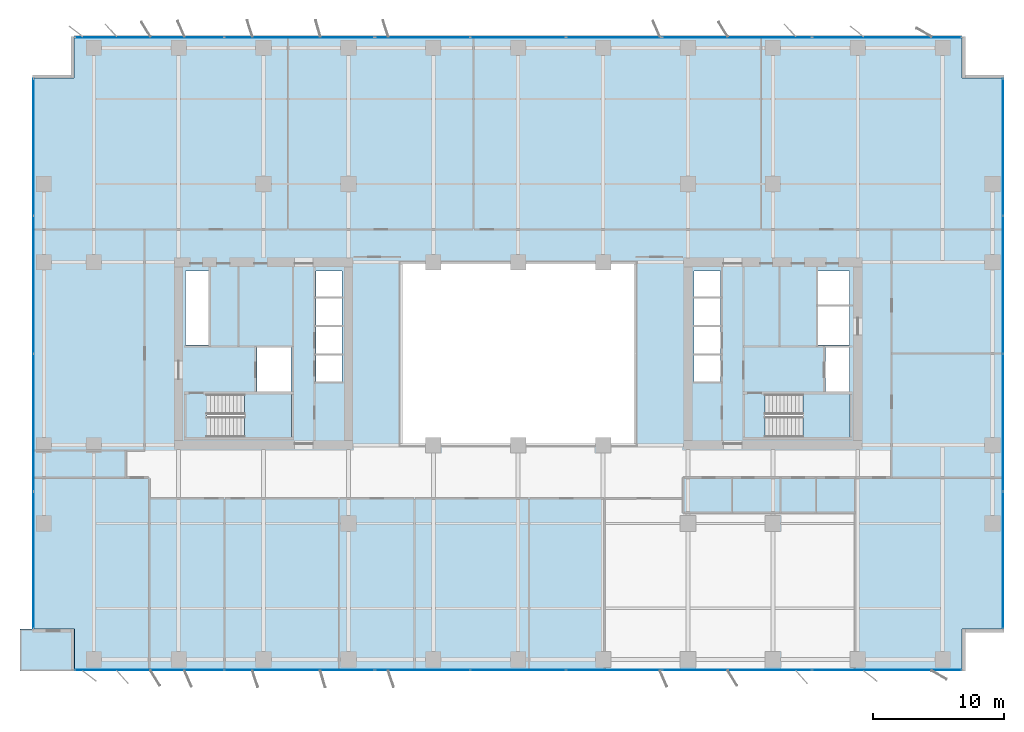
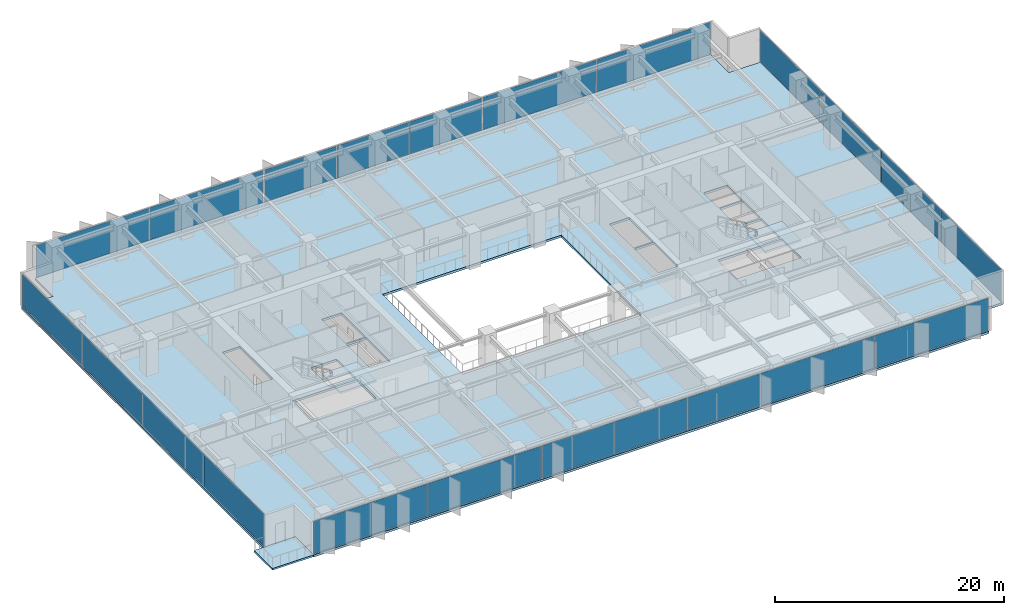
# One storey, part 12 of 20: 22 plates, 4 slabs, 10 elements without a shape of their own.
"""IFC4 building model written with IfcOpenShell, lengths in metres."""

from ifc_helpers import new_model, si_unit, direction, frame, origin, origin_2d, place, context, subcontext, project, spatial, polyline, rectangle, outline, extrude, material, layer, layer_set, type_object, element, aggregate, save


model = new_model("IFC4")

# Units and contexts
model_context = context("Model", 3, precision=1e-05, world=origin(), true_north=direction((0.0, 1.0)))
body_context = subcontext(model_context, "Body", "Model", "MODEL_VIEW")
ifc_project = project(units=[si_unit("LENGTHUNIT", "METRE"), si_unit("AREAUNIT", "SQUARE_METRE"), si_unit("VOLUMEUNIT", "CUBIC_METRE"), si_unit("PLANEANGLEUNIT", "RADIAN"), si_unit("MASSUNIT", "GRAM", prefix="KILO")], contexts=[model_context])

# Site, building, storey
site_placement = place(None, origin())
site = spatial("IfcSite", under=ifc_project, at=site_placement, CompositionType="ELEMENT")
building_placement = place(site_placement, origin())
building = spatial("IfcBuilding", under=site, at=building_placement, Name="Putna Gate Headquarters", CompositionType="ELEMENT")
storey_placement = place(building_placement, frame((0.0, 0.0, 97.39990234375)))
storey = spatial("IfcBuildingStorey", under=building, at=storey_placement, Name="L23", CompositionType="ELEMENT", Elevation=97.39990234375)

# Stair, slab
ifc_material_1 = material(Name="Concrete C40/50", Category="concrete")
stair_type_1 = type_object("IfcStairType", Name="STAIR-ST1", PredefinedType="HALF_TURN_STAIR", material=ifc_material_1)
stair_1_placement = place(storey_placement, origin())
stair_1 = element("IfcStair", 1, at=stair_1_placement, inside=storey, type_object=stair_type_1, Name="L23 West Core Exit Stair ST1", PredefinedType="HALF_TURN_STAIR")
ifc_layer_1 = layer(ifc_material_1, 0.199951171875)
ifc_layer_set_1 = layer_set([ifc_layer_1], Name="Concrete C40/50")
slab_type_1 = type_object("IfcSlabType", Name="LANDING-ST1", PredefinedType="LANDING", material=ifc_layer_set_1)
slab_1_placement = place(storey_placement, frame((0.0, 0.0, 1.7001953125)))
slab_1 = element("IfcSlab", 2, at=slab_1_placement, type_object=slab_type_1, Name="ST1 landing 1", PredefinedType="LANDING", context=body_context, shape_type="SweptSolid", body=[
    extrude(outline(polyline([(18.050048828125, 19.60009765625), (21.64990234375, 19.60009765625), (21.64990234375, 22.89990234375), (18.050048828125, 22.89990234375), (18.050048828125, 19.60009765625)])), origin(), (0.0, 0.0, 1.0), 0.199951171875),
])
aggregate(stair_1, [slab_1])

stair_type_2 = type_object("IfcStairType", Name="STAIR-ST2", PredefinedType="HALF_TURN_STAIR", material=ifc_material_1)
stair_2_placement = place(storey_placement, origin())
stair_2 = element("IfcStair", 3, at=stair_2_placement, inside=storey, type_object=stair_type_2, Name="L23 East Core Exit Stair ST2", PredefinedType="HALF_TURN_STAIR")
ifc_layer_2 = layer(ifc_material_1, 0.199951171875)
ifc_layer_set_2 = layer_set([ifc_layer_2], Name="Concrete C40/50")
slab_type_2 = type_object("IfcSlabType", Name="LANDING-ST2", PredefinedType="LANDING", material=ifc_layer_set_2)
slab_2_placement = place(storey_placement, frame((0.0, 0.0, 1.7001953125)))
slab_2 = element("IfcSlab", 4, at=slab_2_placement, type_object=slab_type_2, Name="ST2 landing 1", PredefinedType="LANDING", context=body_context, shape_type="SweptSolid", body=[
    extrude(outline(polyline([(60.800048828125, 19.60009765625), (64.39990234375, 19.60009765625), (64.39990234375, 22.89990234375), (60.800048828125, 22.89990234375), (60.800048828125, 19.60009765625)])), origin(), (0.0, 0.0, 1.0), 0.199951171875),
])
aggregate(stair_2, [slab_2])

# Curtain wall, plates
ifc_material_2 = material(Name="Anodised bronze aluminium curtain wall", Category="aluminium")
ifc_layer_3 = layer(ifc_material_2, 0.159912109375)
ifc_layer_set_3 = layer_set([ifc_layer_3], Name="Anodised bronze aluminium curtain wall")
curtain_wall_type_1 = type_object("IfcCurtainWallType", Name="CW-SYS-Z2", PredefinedType="USERDEFINED", material=ifc_layer_set_3)
curtain_wall_1_placement = place(storey_placement, origin())
curtain_wall_1 = element("IfcCurtainWall", 5, at=curtain_wall_1_placement, inside=storey, type_object=curtain_wall_type_1, Name="L23 South West Curtain Wall", ObjectType="STICK CURTAIN WALL", PredefinedType="USERDEFINED")
ifc_material_3 = material(Name="Solar-control triple low-E glass", Category="glass")
ifc_layer_4 = layer(ifc_material_3, 0.030029296875)
ifc_layer_set_4 = layer_set([ifc_layer_4], Name="Solar-control triple low-E glass")
plate_type_1 = type_object("IfcPlateType", Name="PAN-CWP-2", PredefinedType="CURTAIN_PANEL", material=ifc_layer_set_4)
plate_1_placement = place(storey_placement, frame((10.766357421875, 1.780029296875, 0.065185546875), z_axis=(0.0, 0.0, 1.0), x_axis=(1.0, 0.0, 0.0)))
plate_1 = element("IfcPlate", 6, at=plate_1_placement, type_object=plate_type_1, Name="CWS-2 panel 1.1", PredefinedType="CURTAIN_PANEL", context=body_context, shape_type="SweptSolid", body=[
    extrude(rectangle(XDim=11.402587890625, YDim=0.030029296875, at=origin_2d()), origin(), (0.0, 0.0, 1.0), 3.43505859375),
])
plate_2_placement = place(storey_placement, frame((22.233642578125, 1.780029296875, 0.065185546875), z_axis=(0.0, 0.0, 1.0), x_axis=(1.0, 0.0, 0.0)))
plate_2 = element("IfcPlate", 7, at=plate_2_placement, type_object=plate_type_1, Name="CWS-2 panel 2.1", PredefinedType="CURTAIN_PANEL", context=body_context, shape_type="SweptSolid", body=[
    extrude(rectangle(XDim=11.402587890625, YDim=0.030029296875, at=origin_2d()), origin(), (0.0, 0.0, 1.0), 3.43505859375),
])
aggregate(curtain_wall_1, [plate_1, plate_2])

curtain_wall_2_placement = place(storey_placement, origin())
curtain_wall_2 = element("IfcCurtainWall", 8, at=curtain_wall_2_placement, inside=storey, type_object=curtain_wall_type_1, Name="L23 South East Curtain Wall", ObjectType="STICK CURTAIN WALL", PredefinedType="USERDEFINED")
plate_3_placement = place(storey_placement, frame((55.766357421875, 1.780029296875, 0.065185546875), z_axis=(0.0, 0.0, 1.0), x_axis=(1.0, 0.0, 0.0)))
plate_3 = element("IfcPlate", 9, at=plate_3_placement, type_object=plate_type_1, Name="CWS-2 panel 1.1", PredefinedType="CURTAIN_PANEL", context=body_context, shape_type="SweptSolid", body=[
    extrude(rectangle(XDim=11.402587890625, YDim=0.030029296875, at=origin_2d()), origin(), (0.0, 0.0, 1.0), 3.43505859375),
])
plate_4_placement = place(storey_placement, frame((67.233642578125, 1.780029296875, 0.065185546875), z_axis=(0.0, 0.0, 1.0), x_axis=(1.0, 0.0, 0.0)))
plate_4 = element("IfcPlate", 10, at=plate_4_placement, type_object=plate_type_1, Name="CWS-2 panel 2.1", PredefinedType="CURTAIN_PANEL", context=body_context, shape_type="SweptSolid", body=[
    extrude(rectangle(XDim=11.402587890625, YDim=0.030029296875, at=origin_2d()), origin(), (0.0, 0.0, 1.0), 3.43505859375),
])
aggregate(curtain_wall_2, [plate_3, plate_4])

curtain_wall_3_placement = place(storey_placement, origin())
curtain_wall_3 = element("IfcCurtainWall", 11, at=curtain_wall_3_placement, inside=storey, type_object=curtain_wall_type_1, Name="L23 North West Curtain Wall", ObjectType="STICK CURTAIN WALL", PredefinedType="USERDEFINED")
plate_5_placement = place(storey_placement, frame((10.766357421875, 50.219970703125, 0.065185546875), z_axis=(0.0, 0.0, 1.0), x_axis=(1.0, 0.0, 0.0)))
plate_5 = element("IfcPlate", 12, at=plate_5_placement, type_object=plate_type_1, Name="CWS-2 panel 1.1", PredefinedType="CURTAIN_PANEL", context=body_context, shape_type="SweptSolid", body=[
    extrude(rectangle(XDim=11.402587890625, YDim=0.030029296875, at=origin_2d()), origin(), (0.0, 0.0, 1.0), 3.43505859375),
])
plate_6_placement = place(storey_placement, frame((22.233642578125, 50.219970703125, 0.065185546875), z_axis=(0.0, 0.0, 1.0), x_axis=(1.0, 0.0, 0.0)))
plate_6 = element("IfcPlate", 13, at=plate_6_placement, type_object=plate_type_1, Name="CWS-2 panel 2.1", PredefinedType="CURTAIN_PANEL", context=body_context, shape_type="SweptSolid", body=[
    extrude(rectangle(XDim=11.402587890625, YDim=0.030029296875, at=origin_2d()), origin(), (0.0, 0.0, 1.0), 3.43505859375),
])
aggregate(curtain_wall_3, [plate_5, plate_6])

curtain_wall_4_placement = place(storey_placement, origin())
curtain_wall_4 = element("IfcCurtainWall", 14, at=curtain_wall_4_placement, inside=storey, type_object=curtain_wall_type_1, Name="L23 North East Curtain Wall", ObjectType="STICK CURTAIN WALL", PredefinedType="USERDEFINED")
plate_7_placement = place(storey_placement, frame((55.766357421875, 50.219970703125, 0.065185546875), z_axis=(0.0, 0.0, 1.0), x_axis=(1.0, 0.0, 0.0)))
plate_7 = element("IfcPlate", 15, at=plate_7_placement, type_object=plate_type_1, Name="CWS-2 panel 1.1", PredefinedType="CURTAIN_PANEL", context=body_context, shape_type="SweptSolid", body=[
    extrude(rectangle(XDim=11.402587890625, YDim=0.030029296875, at=origin_2d()), origin(), (0.0, 0.0, 1.0), 3.43505859375),
])
plate_8_placement = place(storey_placement, frame((67.233642578125, 50.219970703125, 0.065185546875), z_axis=(0.0, 0.0, 1.0), x_axis=(1.0, 0.0, 0.0)))
plate_8 = element("IfcPlate", 16, at=plate_8_placement, type_object=plate_type_1, Name="CWS-2 panel 2.1", PredefinedType="CURTAIN_PANEL", context=body_context, shape_type="SweptSolid", body=[
    extrude(rectangle(XDim=11.402587890625, YDim=0.030029296875, at=origin_2d()), origin(), (0.0, 0.0, 1.0), 3.43505859375),
])
aggregate(curtain_wall_4, [plate_7, plate_8])

curtain_wall_5_placement = place(storey_placement, origin())
curtain_wall_5 = element("IfcCurtainWall", 17, at=curtain_wall_5_placement, inside=storey, type_object=curtain_wall_type_1, Name="L23 West Curtain Wall", ObjectType="STICK CURTAIN WALL", PredefinedType="USERDEFINED")
plate_9_placement = place(storey_placement, frame((1.8798828125, 10.191162109375, 0.065185546875), z_axis=(0.0, 0.0, 1.0), x_axis=(0.0, 1.0, 0.0)))
plate_9 = element("IfcPlate", 18, at=plate_9_placement, type_object=plate_type_1, Name="CWS-2 panel 1.1", PredefinedType="CURTAIN_PANEL", context=body_context, shape_type="SweptSolid", body=[
    extrude(rectangle(XDim=10.452392578125, YDim=0.030029296875, at=origin_2d()), origin(), (0.0, 0.0, 1.0), 3.43505859375),
])
plate_10_placement = place(storey_placement, frame((1.8798828125, 20.72509765625, 0.065185546875), z_axis=(0.0, 0.0, 1.0), x_axis=(0.0, 1.0, 0.0)))
plate_10 = element("IfcPlate", 19, at=plate_10_placement, type_object=plate_type_1, Name="CWS-2 panel 2.1", PredefinedType="CURTAIN_PANEL", context=body_context, shape_type="SweptSolid", body=[
    extrude(rectangle(XDim=10.485107421875, YDim=0.030029296875, at=origin_2d()), origin(), (0.0, 0.0, 1.0), 3.43505859375),
])
plate_11_placement = place(storey_placement, frame((1.8798828125, 31.27490234375, 0.065185546875), z_axis=(0.0, 0.0, 1.0), x_axis=(0.0, 1.0, 0.0)))
plate_11 = element("IfcPlate", 20, at=plate_11_placement, type_object=plate_type_1, Name="CWS-2 panel 3.1", PredefinedType="CURTAIN_PANEL", context=body_context, shape_type="SweptSolid", body=[
    extrude(rectangle(XDim=10.485107421875, YDim=0.030029296875, at=origin_2d()), origin(), (0.0, 0.0, 1.0), 3.43505859375),
])
plate_12_placement = place(storey_placement, frame((1.8798828125, 41.808837890625, 0.065185546875), z_axis=(0.0, 0.0, 1.0), x_axis=(0.0, 1.0, 0.0)))
plate_12 = element("IfcPlate", 21, at=plate_12_placement, type_object=plate_type_1, Name="CWS-2 panel 4.1", PredefinedType="CURTAIN_PANEL", context=body_context, shape_type="SweptSolid", body=[
    extrude(rectangle(XDim=10.452392578125, YDim=0.030029296875, at=origin_2d()), origin(), (0.0, 0.0, 1.0), 3.43505859375),
])
aggregate(curtain_wall_5, [plate_9, plate_10, plate_11, plate_12])

curtain_wall_6_placement = place(storey_placement, origin())
curtain_wall_6 = element("IfcCurtainWall", 22, at=curtain_wall_6_placement, inside=storey, type_object=curtain_wall_type_1, Name="L23 East Curtain Wall", ObjectType="STICK CURTAIN WALL", PredefinedType="USERDEFINED")
plate_13_placement = place(storey_placement, frame((76.1201171875, 10.191162109375, 0.065185546875), z_axis=(0.0, 0.0, 1.0), x_axis=(0.0, 1.0, 0.0)))
plate_13 = element("IfcPlate", 23, at=plate_13_placement, type_object=plate_type_1, Name="CWS-2 panel 1.1", PredefinedType="CURTAIN_PANEL", context=body_context, shape_type="SweptSolid", body=[
    extrude(rectangle(XDim=10.452392578125, YDim=0.030029296875, at=origin_2d()), origin(), (0.0, 0.0, 1.0), 3.43505859375),
])
plate_14_placement = place(storey_placement, frame((76.1201171875, 20.72509765625, 0.065185546875), z_axis=(0.0, 0.0, 1.0), x_axis=(0.0, 1.0, 0.0)))
plate_14 = element("IfcPlate", 24, at=plate_14_placement, type_object=plate_type_1, Name="CWS-2 panel 2.1", PredefinedType="CURTAIN_PANEL", context=body_context, shape_type="SweptSolid", body=[
    extrude(rectangle(XDim=10.485107421875, YDim=0.030029296875, at=origin_2d()), origin(), (0.0, 0.0, 1.0), 3.43505859375),
])
plate_15_placement = place(storey_placement, frame((76.1201171875, 31.27490234375, 0.065185546875), z_axis=(0.0, 0.0, 1.0), x_axis=(0.0, 1.0, 0.0)))
plate_15 = element("IfcPlate", 25, at=plate_15_placement, type_object=plate_type_1, Name="CWS-2 panel 3.1", PredefinedType="CURTAIN_PANEL", context=body_context, shape_type="SweptSolid", body=[
    extrude(rectangle(XDim=10.485107421875, YDim=0.030029296875, at=origin_2d()), origin(), (0.0, 0.0, 1.0), 3.43505859375),
])
plate_16_placement = place(storey_placement, frame((76.1201171875, 41.808837890625, 0.065185546875), z_axis=(0.0, 0.0, 1.0), x_axis=(0.0, 1.0, 0.0)))
plate_16 = element("IfcPlate", 26, at=plate_16_placement, type_object=plate_type_1, Name="CWS-2 panel 4.1", PredefinedType="CURTAIN_PANEL", context=body_context, shape_type="SweptSolid", body=[
    extrude(rectangle(XDim=10.452392578125, YDim=0.030029296875, at=origin_2d()), origin(), (0.0, 0.0, 1.0), 3.43505859375),
])
aggregate(curtain_wall_6, [plate_13, plate_14, plate_15, plate_16])

ifc_layer_5 = layer(ifc_material_2, 0.179931640625)
ifc_layer_set_5 = layer_set([ifc_layer_5], Name="Anodised bronze aluminium curtain wall")
curtain_wall_type_2 = type_object("IfcCurtainWallType", Name="CW-SYS-ATR", PredefinedType="USERDEFINED", material=ifc_layer_set_5)
curtain_wall_7_placement = place(storey_placement, origin())
curtain_wall_7 = element("IfcCurtainWall", 27, at=curtain_wall_7_placement, inside=storey, type_object=curtain_wall_type_2, Name="L23 South Atrium Clear Glazing", ObjectType="ATRIUM GLAZING", PredefinedType="USERDEFINED")
ifc_material_4 = material(Name="Clear low-iron triple glazing", Category="glass")
ifc_layer_6 = layer(ifc_material_4, 0.0400390625)
ifc_layer_set_6 = layer_set([ifc_layer_6], Name="Clear low-iron triple glazing")
plate_type_2 = type_object("IfcPlateType", Name="PAN-CWP-AT", PredefinedType="CURTAIN_PANEL", material=ifc_layer_set_6)
plate_17_placement = place(storey_placement, frame((31.68408203125, 1.780029296875, 0.0703125), z_axis=(0.0, 0.0, 1.0), x_axis=(1.0, 0.0, 0.0)))
plate_17 = element("IfcPlate", 28, at=plate_17_placement, type_object=plate_type_2, Name="CWS-AT panel 1.1", PredefinedType="CURTAIN_PANEL", context=body_context, shape_type="SweptSolid", body=[
    extrude(rectangle(XDim=7.228271484375, YDim=0.0400390625, at=origin_2d()), origin(), (0.0, 0.0, 1.0), 3.425048828125),
])
plate_18_placement = place(storey_placement, frame((39.0, 1.780029296875, 0.0703125), z_axis=(0.0, 0.0, 1.0), x_axis=(1.0, 0.0, 0.0)))
plate_18 = element("IfcPlate", 29, at=plate_18_placement, type_object=plate_type_2, Name="CWS-AT panel 2.1", PredefinedType="CURTAIN_PANEL", context=body_context, shape_type="SweptSolid", body=[
    extrude(rectangle(XDim=7.263427734375, YDim=0.0400390625, at=origin_2d()), origin(), (0.0, 0.0, 1.0), 3.425048828125),
])
plate_19_placement = place(storey_placement, frame((46.31591796875, 1.780029296875, 0.0703125), z_axis=(0.0, 0.0, 1.0), x_axis=(1.0, 0.0, 0.0)))
plate_19 = element("IfcPlate", 30, at=plate_19_placement, type_object=plate_type_2, Name="CWS-AT panel 3.1", PredefinedType="CURTAIN_PANEL", context=body_context, shape_type="SweptSolid", body=[
    extrude(rectangle(XDim=7.228271484375, YDim=0.0400390625, at=origin_2d()), origin(), (0.0, 0.0, 1.0), 3.425048828125),
])
aggregate(curtain_wall_7, [plate_17, plate_18, plate_19])

curtain_wall_8_placement = place(storey_placement, origin())
curtain_wall_8 = element("IfcCurtainWall", 31, at=curtain_wall_8_placement, inside=storey, type_object=curtain_wall_type_2, Name="L23 North Atrium Clear Glazing", ObjectType="ATRIUM GLAZING", PredefinedType="USERDEFINED")
plate_20_placement = place(storey_placement, frame((31.68408203125, 50.219970703125, 0.0703125), z_axis=(0.0, 0.0, 1.0), x_axis=(1.0, 0.0, 0.0)))
plate_20 = element("IfcPlate", 32, at=plate_20_placement, type_object=plate_type_2, Name="CWS-AT panel 1.1", PredefinedType="CURTAIN_PANEL", context=body_context, shape_type="SweptSolid", body=[
    extrude(rectangle(XDim=7.228271484375, YDim=0.0400390625, at=origin_2d()), origin(), (0.0, 0.0, 1.0), 3.425048828125),
])
plate_21_placement = place(storey_placement, frame((39.0, 50.219970703125, 0.0703125), z_axis=(0.0, 0.0, 1.0), x_axis=(1.0, 0.0, 0.0)))
plate_21 = element("IfcPlate", 33, at=plate_21_placement, type_object=plate_type_2, Name="CWS-AT panel 2.1", PredefinedType="CURTAIN_PANEL", context=body_context, shape_type="SweptSolid", body=[
    extrude(rectangle(XDim=7.263427734375, YDim=0.0400390625, at=origin_2d()), origin(), (0.0, 0.0, 1.0), 3.425048828125),
])
plate_22_placement = place(storey_placement, frame((46.31591796875, 50.219970703125, 0.0703125), z_axis=(0.0, 0.0, 1.0), x_axis=(1.0, 0.0, 0.0)))
plate_22 = element("IfcPlate", 34, at=plate_22_placement, type_object=plate_type_2, Name="CWS-AT panel 3.1", PredefinedType="CURTAIN_PANEL", context=body_context, shape_type="SweptSolid", body=[
    extrude(rectangle(XDim=7.228271484375, YDim=0.0400390625, at=origin_2d()), origin(), (0.0, 0.0, 1.0), 3.425048828125),
])
aggregate(curtain_wall_8, [plate_20, plate_21, plate_22])

# Slabs
ifc_layer_7 = layer(ifc_material_1, 0.179931640625)
ifc_layer_set_7 = layer_set([ifc_layer_7], Name="Concrete C40/50")
slab_type_3 = type_object("IfcSlabType", Name="SLAB-TERRACE-180", PredefinedType="FLOOR", material=ifc_layer_set_7)
slab_3_placement = place(storey_placement, frame((0.0, 0.0, -0.179931640625)))
element("IfcSlab", 35, at=slab_3_placement, inside=storey, type_object=slab_type_3, Name="L23 Spiral Sky-Garden Terrace Slab (SW)", PredefinedType="FLOOR", context=body_context, shape_type="SweptSolid", body=[
    extrude(outline(polyline([(0.85009765625, 1.699951171875), (5.008056640625, 1.699951171875), (5.008056640625, 4.907958984375), (0.85009765625, 4.907958984375), (0.85009765625, 1.699951171875)])), origin(), (0.0, 0.0, 1.0), 0.179931640625),
])
ifc_layer_8 = layer(ifc_material_1, 0.235107421875)
ifc_layer_set_8 = layer_set([ifc_layer_8], Name="Concrete C40/50")
slab_type_4 = type_object("IfcSlabType", Name="SLAB-Z2-235", PredefinedType="FLOOR", material=ifc_layer_set_8)
slab_4_placement = place(storey_placement, frame((0.0, 0.0, -0.23486328125)))
element("IfcSlab", 36, at=slab_4_placement, inside=storey, type_object=slab_type_4, Name="L23 Composite Floor Slab", PredefinedType="FLOOR", context=body_context, shape_type="SweptSolid", body=[
    extrude(outline(polyline([(5.0, 1.699951171875), (73.0, 1.699951171875), (73.0, 4.89990234375), (76.199951171875, 4.89990234375), (76.199951171875, 47.10009765625), (73.0, 47.10009765625), (73.0, 50.300048828125), (5.0, 50.300048828125), (5.0, 47.10009765625), (1.800048828125, 47.10009765625), (1.800048828125, 4.89990234375), (5.0, 4.89990234375), (5.0, 1.699951171875)]), holes=[polyline([(15.1650390625, 19.60009765625), (21.64990234375, 19.60009765625), (21.64990234375, 22.89990234375), (15.1650390625, 22.89990234375), (15.1650390625, 19.60009765625)]), polyline([(57.9150390625, 19.60009765625), (64.39990234375, 19.60009765625), (64.39990234375, 22.89990234375), (57.9150390625, 22.89990234375), (57.9150390625, 19.60009765625)]), polyline([(13.52001953125, 26.659912109375), (15.280029296875, 26.659912109375), (15.280029296875, 32.35009765625), (13.52001953125, 32.35009765625), (13.52001953125, 26.659912109375)]), polyline([(61.969970703125, 29.780029296875), (64.35009765625, 29.780029296875), (64.35009765625, 32.35009765625), (61.969970703125, 32.35009765625), (61.969970703125, 29.780029296875)]), polyline([(18.97998046875, 23.1201171875), (21.6201171875, 23.1201171875), (21.6201171875, 26.4599609375), (18.97998046875, 26.4599609375), (18.97998046875, 23.1201171875)]), polyline([(62.52001953125, 23.1201171875), (64.35009765625, 23.1201171875), (64.35009765625, 26.4599609375), (62.52001953125, 26.4599609375), (62.52001953125, 23.1201171875)]), polyline([(61.969970703125, 26.659912109375), (64.35009765625, 26.659912109375), (64.35009765625, 29.6201171875), (61.969970703125, 29.6201171875), (61.969970703125, 26.659912109375)]), polyline([(23.5, 23.860107421875), (25.5, 23.860107421875), (25.5, 28.0400390625), (23.5, 28.0400390625), (23.5, 23.860107421875)]), polyline([(52.47998046875, 23.860107421875), (54.5, 23.860107421875), (54.5, 28.0400390625), (52.47998046875, 28.0400390625), (52.47998046875, 23.860107421875)]), polyline([(23.5, 28.199951171875), (25.5, 28.199951171875), (25.5, 32.35009765625), (23.5, 32.35009765625), (23.5, 28.199951171875)]), polyline([(52.47998046875, 28.199951171875), (54.5, 28.199951171875), (54.5, 32.35009765625), (52.47998046875, 32.35009765625), (52.47998046875, 28.199951171875)]), polyline([(30.0, 19.0), (48.0, 19.0), (48.0, 33.0), (30.0, 33.0), (30.0, 19.0)])]), origin(), (0.0, 0.0, 1.0), 0.23486328125),
])

save(model, "model.ifc")
